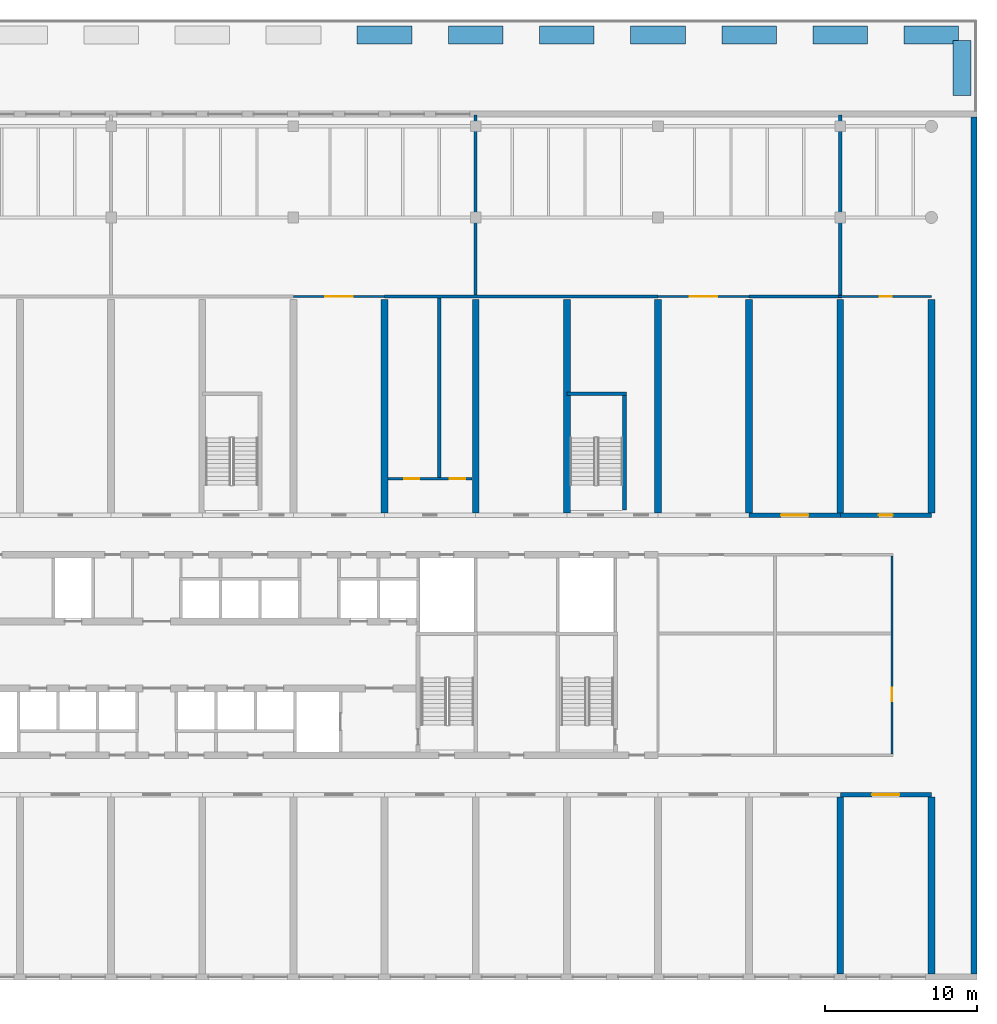
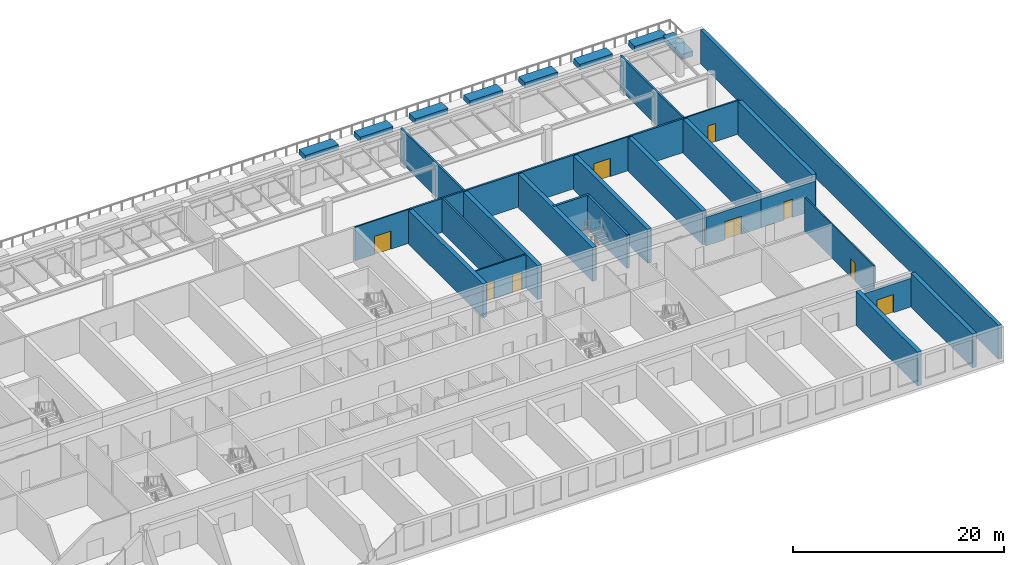
# One storey, part 11 of 16: 33 walls, 9 doors, 9 openings.
"""IFC4 building model written with IfcOpenShell, lengths in metres."""

from ifc_helpers import new_model, si_unit, direction, frame, frame_2d, origin, place, context, subcontext, project, spatial, polyline, rectangle, outline, extrude, source, transform, mapped, material, layer, layer_set, type_object, element, fill, save


model = new_model("IFC4")

# Units and contexts
model_context = context("Model", 3, precision=1e-05, world=origin(), true_north=direction((0.0, 1.0)))
body_context = subcontext(model_context, "Body", "Model", "MODEL_VIEW")
ifc_project = project(units=[si_unit("LENGTHUNIT", "METRE"), si_unit("AREAUNIT", "SQUARE_METRE"), si_unit("VOLUMEUNIT", "CUBIC_METRE"), si_unit("PLANEANGLEUNIT", "RADIAN"), si_unit("MASSUNIT", "GRAM", prefix="KILO")], contexts=[model_context])

# Site, building, storey
site_placement = place(None, origin())
site = spatial("IfcSite", under=ifc_project, at=site_placement, CompositionType="ELEMENT")
building_placement = place(site_placement, origin())
building = spatial("IfcBuilding", under=site, at=building_placement, Name="Poui Terraces", CompositionType="ELEMENT")
storey_placement = place(building_placement, frame((0.0, 0.0, 15.0)))
storey = spatial("IfcBuildingStorey", under=building, at=storey_placement, Name="L03", CompositionType="ELEMENT", Elevation=15.0)

# Walls
ifc_material_1 = material(Name="Fire-rated masonry wall", Category="masonry")
ifc_layer_1 = layer(ifc_material_1, 0.199951171875)
ifc_layer_set_1 = layer_set([ifc_layer_1], Name="Fire-rated masonry wall")
wall_type_1 = type_object("IfcWallType", Name="COMPARTMENT WALL 200", PredefinedType="PARTITIONING", material=ifc_layer_set_1)
wall_1_placement = place(storey_placement, frame((66.0, 44.800048828125, 0.0), z_axis=(0.0, 0.0, 1.0), x_axis=(1.0, 0.0, 0.0)))
element("IfcWall", 1, at=wall_1_placement, inside=storey, type_object=wall_type_1, Name="COMPARTMENT WALL 200", PredefinedType="PARTITIONING", context=body_context, shape_type="SweptSolid", body=[
    extrude(rectangle(XDim=18.0, YDim=0.199951171875, at=frame_2d((9.0, 0.0))), origin(), (0.0, 0.0, 1.0), 3.919921875),
])
wall_2_placement = place(storey_placement, frame((90.0, 44.800048828125, 0.0), z_axis=(0.0, 0.0, 1.0), x_axis=(1.0, 0.0, 0.0)))
element("IfcWall", 2, at=wall_2_placement, inside=storey, type_object=wall_type_1, Name="COMPARTMENT WALL 200", PredefinedType="PARTITIONING", context=body_context, shape_type="SweptSolid", body=[
    extrude(rectangle(XDim=6.10009765625, YDim=0.199951171875, at=frame_2d((3.050048828125, 0.0))), origin(), (0.0, 0.0, 1.0), 3.919921875),
])
wall_3_placement = place(storey_placement, frame((69.60009765625, 32.875, 0.0), z_axis=(0.0, 0.0, 1.0), x_axis=(0.0, 1.0, 0.0)))
element("IfcWall", 3, at=wall_3_placement, inside=storey, type_object=wall_type_1, Name="COMPARTMENT WALL 200", PredefinedType="PARTITIONING", context=body_context, shape_type="SweptSolid", body=[
    extrude(rectangle(XDim=11.824951171875, YDim=0.199951171875, at=frame_2d((5.91259765625, 0.0))), origin(), (0.0, 0.0, 1.0), 3.919921875),
])
for number, where, z_axis, x_axis, name in (
    (4, (72.0, 44.89990234375, 0.0), (0.0, 0.0, 1.0), (0.0, 1.0, 0.0), "COMPARTMENT WALL 200"),
    (5, (96.0, 44.89990234375, 0.0), (0.0, 0.0, 1.0), (0.0, 1.0, 0.0), "COMPARTMENT WALL 200"),
):
    element("IfcWall", number, at=place(storey_placement, frame(where, z_axis=z_axis, x_axis=x_axis)), inside=storey, type_object=wall_type_1, Name=name, PredefinedType="PARTITIONING", context=body_context, shape_type="SweptSolid", body=[
        extrude(rectangle(XDim=11.840087890625, YDim=0.199951171875, at=frame_2d((5.919921875, 0.0))), origin(), (0.0, 0.0, 1.0), 3.919921875),
    ])

# Wall, openings, doors
ifc_material_2 = material(Name="Fire-rated plasterboard wall")
ifc_layer_2 = layer(ifc_material_2, 0.14990234375)
ifc_layer_set_2 = layer_set([ifc_layer_2], Name="Fire-rated plasterboard wall")
wall_type_2 = type_object("IfcWallType", Name="CORRIDOR WALL 150", PredefinedType="PARTITIONING", material=ifc_layer_set_2)
wall_4_placement = place(storey_placement, frame((66.235107421875, 32.800048828125, 0.0), z_axis=(0.0, 0.0, 1.0), x_axis=(1.0, 0.0, 0.0)))
wall_4 = element("IfcWall", 6, at=wall_4_placement, inside=storey, type_object=wall_type_2, Name="CORRIDOR WALL 150", PredefinedType="PARTITIONING", context=body_context, shape_type="SweptSolid", body=[
    extrude(rectangle(XDim=5.52978515625, YDim=0.14990234375, at=frame_2d((2.764892578125, 0.0))), origin(), (0.0, 0.0, 1.0), 3.919921875),
])
opening_1_placement = place(wall_4_placement, frame((1.06494140625, 0.0, 0.0)))
opening_1 = element("IfcOpeningElement", 7, at=opening_1_placement, cuts=wall_4, Name="Opening D100", PredefinedType="OPENING", context=body_context, shape_type="SweptSolid", body=[
    extrude(rectangle(XDim=1.0, YDim=2.10009765625, at=frame_2d((0.5, 1.050048828125))), frame((0.0, 0.0849609375, 0.0), z_axis=(0.0, -1.0, 0.0), x_axis=(1.0, 0.0, 0.0)), (0.0, 0.0, 1.0), 0.169921875),
])
opening_2_placement = place(wall_4_placement, frame((4.06494140625, 0.0, 0.0)))
opening_2 = element("IfcOpeningElement", 8, at=opening_2_placement, cuts=wall_4, Name="Opening D100", PredefinedType="OPENING", context=body_context, shape_type="SweptSolid", body=[
    extrude(rectangle(XDim=1.0, YDim=2.10009765625, at=frame_2d((0.5, 1.050048828125))), frame((0.0, 0.0849609375, 0.0), z_axis=(0.0, -1.0, 0.0), x_axis=(1.0, 0.0, 0.0)), (0.0, 0.0, 1.0), 0.169921875),
])
ifc_material_3 = material(Name="Solid core timber door", Category="wood")
door_type_1 = type_object("IfcDoorType", Name="ACCESSIBLE INTERNAL DOOR 1000 X 2100", OperationType="NOTDEFINED", PredefinedType="DOOR", material=ifc_material_3)
door_1_placement = place(opening_1_placement, frame((1.0, 0.0, 0.0), z_axis=(0.0, 0.0, 1.0), x_axis=(-1.0, 0.0, 0.0)))
door_1 = element("IfcDoor", 9, at=door_1_placement, inside=storey, type_object=door_type_1, Name="ACCESSIBLE INTERNAL DOOR 076", OperationType="SINGLE_SWING_RIGHT", OverallHeight=2.10009765625, OverallWidth=1.0, PredefinedType="DOOR", context=body_context, shape_type="SweptSolid", body=[
    extrude(rectangle(XDim=1.0, YDim=2.10009765625, at=frame_2d((0.5, 1.050048828125))), frame((0.0, 0.02490234375, 0.0), z_axis=(0.0, -1.0, 0.0), x_axis=(1.0, 0.0, 0.0)), (0.0, 0.0, 1.0), 0.050048828125),
])
fill(opening_1, door_1)
door_2_placement = place(opening_2_placement, frame((1.0, 0.0, 0.0), z_axis=(0.0, 0.0, 1.0), x_axis=(-1.0, 0.0, 0.0)))
door_2 = element("IfcDoor", 10, at=door_2_placement, inside=storey, type_object=door_type_1, Name="ACCESSIBLE INTERNAL DOOR 077", OperationType="SINGLE_SWING_LEFT", OverallHeight=2.10009765625, OverallWidth=1.0, PredefinedType="DOOR", context=body_context, shape_type="SweptSolid", body=[
    extrude(rectangle(XDim=1.0, YDim=2.10009765625, at=frame_2d((0.5, 1.050048828125))), frame((0.0, 0.02490234375, 0.0), z_axis=(0.0, -1.0, 0.0), x_axis=(1.0, 0.0, 0.0)), (0.0, 0.0, 1.0), 0.050048828125),
])
fill(opening_2, door_2)

# Wall, opening, door
wall_5_placement = place(storey_placement, frame((60.0, 44.800048828125, 0.0), z_axis=(0.0, 0.0, 1.0), x_axis=(1.0, 0.0, 0.0)))
wall_5 = element("IfcWall", 11, at=wall_5_placement, inside=storey, type_object=wall_type_2, Name="CORRIDOR WALL 150", PredefinedType="PARTITIONING", context=body_context, shape_type="SweptSolid", body=[
    extrude(rectangle(XDim=6.0, YDim=0.14990234375, at=frame_2d((3.0, 0.0))), origin(), (0.0, 0.0, 1.0), 3.919921875),
])
opening_3_placement = place(wall_5_placement, frame((2.10009765625, 0.0, 0.0)))
opening_3 = element("IfcOpeningElement", 12, at=opening_3_placement, cuts=wall_5, Name="Opening DD180", PredefinedType="OPENING", context=body_context, shape_type="SweptSolid", body=[
    extrude(rectangle(XDim=1.800048828125, YDim=2.10009765625, at=frame_2d((0.89990234375, 1.050048828125))), frame((0.0, 0.0849609375, 0.0), z_axis=(0.0, -1.0, 0.0), x_axis=(1.0, 0.0, 0.0)), (0.0, 0.0, 1.0), 0.169921875),
])
ifc_material_4 = material(Name="Steel fire door", Category="steel")
door_type_2 = type_object("IfcDoorType", Name="DOUBLE INTERNAL DOOR 1800 X 2100", OperationType="DOUBLE_DOOR_SINGLE_SWING", PredefinedType="DOOR", material=ifc_material_4)
door_3_placement = place(opening_3_placement, frame((1.800048828125, 0.0, 0.0), z_axis=(0.0, 0.0, 1.0), x_axis=(-1.0, 0.0, 0.0)))
door_3 = element("IfcDoor", 13, at=door_3_placement, inside=storey, type_object=door_type_2, Name="DOUBLE INTERNAL DOOR 080", OperationType="DOUBLE_DOOR_SINGLE_SWING", OverallHeight=2.10009765625, OverallWidth=1.800048828125, PredefinedType="DOOR", context=body_context, shape_type="SweptSolid", body=[
    extrude(rectangle(XDim=1.800048828125, YDim=2.10009765625, at=frame_2d((0.89990234375, 1.050048828125))), frame((0.0, 0.02490234375, 0.0), z_axis=(0.0, -1.0, 0.0), x_axis=(1.0, 0.0, 0.0)), (0.0, 0.0, 1.0), 0.050048828125),
])
fill(opening_3, door_3)

wall_6_placement = place(storey_placement, frame((84.0, 44.800048828125, 0.0), z_axis=(0.0, 0.0, 1.0), x_axis=(1.0, 0.0, 0.0)))
wall_6 = element("IfcWall", 14, at=wall_6_placement, inside=storey, type_object=wall_type_2, Name="CORRIDOR WALL 150", PredefinedType="PARTITIONING", context=body_context, shape_type="SweptSolid", body=[
    extrude(rectangle(XDim=6.0, YDim=0.14990234375, at=frame_2d((3.0, 0.0))), origin(), (0.0, 0.0, 1.0), 3.919921875),
])
opening_4_placement = place(wall_6_placement, frame((2.10009765625, 0.0, 0.0)))
opening_4 = element("IfcOpeningElement", 15, at=opening_4_placement, cuts=wall_6, Name="Opening DD180", PredefinedType="OPENING", context=body_context, shape_type="SweptSolid", body=[
    extrude(rectangle(XDim=1.800048828125, YDim=2.10009765625, at=frame_2d((0.89990234375, 1.050048828125))), frame((0.0, 0.0849609375, 0.0), z_axis=(0.0, -1.0, 0.0), x_axis=(1.0, 0.0, 0.0)), (0.0, 0.0, 1.0), 0.169921875),
])
door_4_placement = place(opening_4_placement, frame((1.800048828125, 0.0, 0.0), z_axis=(0.0, 0.0, 1.0), x_axis=(-1.0, 0.0, 0.0)))
door_4 = element("IfcDoor", 16, at=door_4_placement, inside=storey, type_object=door_type_2, Name="DOUBLE INTERNAL DOOR 081", OperationType="DOUBLE_DOOR_SINGLE_SWING", OverallHeight=2.10009765625, OverallWidth=1.800048828125, PredefinedType="DOOR", context=body_context, shape_type="SweptSolid", body=[
    extrude(rectangle(XDim=1.800048828125, YDim=2.10009765625, at=frame_2d((0.89990234375, 1.050048828125))), frame((0.0, 0.02490234375, 0.0), z_axis=(0.0, -1.0, 0.0), x_axis=(1.0, 0.0, 0.0)), (0.0, 0.0, 1.0), 0.050048828125),
])
fill(opening_4, door_4)

wall_7_placement = place(storey_placement, frame((95.89990234375, 44.800048828125, 0.0), z_axis=(0.0, 0.0, 1.0), x_axis=(1.0, 0.0, 0.0)))
wall_7 = element("IfcWall", 17, at=wall_7_placement, inside=storey, type_object=wall_type_2, Name="CORRIDOR WALL 150", PredefinedType="PARTITIONING", context=body_context, shape_type="SweptSolid", body=[
    extrude(rectangle(XDim=6.10009765625, YDim=0.14990234375, at=frame_2d((3.050048828125, 0.0))), origin(), (0.0, 0.0, 1.0), 3.919921875),
])
opening_5_placement = place(wall_7_placement, frame((2.699951171875, 0.0, 0.0)))
opening_5 = element("IfcOpeningElement", 18, at=opening_5_placement, cuts=wall_7, Name="Opening D80", PredefinedType="OPENING", context=body_context, shape_type="SweptSolid", body=[
    extrude(rectangle(XDim=0.800048828125, YDim=2.10009765625, at=frame_2d((0.39990234375, 1.050048828125))), frame((0.0, 0.0849609375, 0.0), z_axis=(0.0, -1.0, 0.0), x_axis=(1.0, 0.0, 0.0)), (0.0, 0.0, 1.0), 0.169921875),
])
door_type_3 = type_object("IfcDoorType", Name="BATHROOM, LAUNDRY AND STORE DOOR 800 X 2100", OperationType="NOTDEFINED", PredefinedType="DOOR", material=ifc_material_3)
door_5_placement = place(opening_5_placement, frame((0.800048828125, 0.0, 0.0), z_axis=(0.0, 0.0, 1.0), x_axis=(-1.0, 0.0, 0.0)))
door_5 = element("IfcDoor", 19, at=door_5_placement, inside=storey, type_object=door_type_3, Name="BATHROOM, LAUNDRY AND STORE DOOR 082", OperationType="SINGLE_SWING_RIGHT", OverallHeight=2.10009765625, OverallWidth=0.800048828125, PredefinedType="DOOR", context=body_context, shape_type="SweptSolid", body=[
    extrude(rectangle(XDim=0.800048828125, YDim=2.10009765625, at=frame_2d((0.39990234375, 1.050048828125))), frame((0.0, 0.02490234375, 0.0), z_axis=(0.0, -1.0, 0.0), x_axis=(1.0, 0.0, 0.0)), (0.0, 0.0, 1.0), 0.050048828125),
])
fill(opening_5, door_5)

wall_8_placement = place(storey_placement, frame((99.39990234375, 14.675048828125, 0.0), z_axis=(0.0, 0.0, 1.0), x_axis=(0.0, 1.0, 0.0)))
wall_8 = element("IfcWall", 20, at=wall_8_placement, inside=storey, type_object=wall_type_2, Name="CORRIDOR WALL 150", PredefinedType="PARTITIONING", context=body_context, shape_type="SweptSolid", body=[
    extrude(rectangle(XDim=13.050048828125, YDim=0.14990234375, at=frame_2d((6.52490234375, 0.0))), origin(), (0.0, 0.0, 1.0), 3.919921875),
])
opening_6_placement = place(wall_8_placement, frame((3.47509765625, 0.0, 0.0)))
opening_6 = element("IfcOpeningElement", 21, at=opening_6_placement, cuts=wall_8, Name="Opening D90", PredefinedType="OPENING", context=body_context, shape_type="SweptSolid", body=[
    extrude(rectangle(XDim=0.89990234375, YDim=2.10009765625, at=frame_2d((0.449951171875, 1.050048828125))), frame((0.0, 0.0849609375, 0.0), z_axis=(0.0, -1.0, 0.0), x_axis=(1.0, 0.0, 0.0)), (0.0, 0.0, 1.0), 0.169921875),
])
door_type_4 = type_object("IfcDoorType", Name="INTERNAL DOOR 900 X 2100", OperationType="NOTDEFINED", PredefinedType="DOOR", material=ifc_material_3)
door_6_placement = place(opening_6_placement, frame((0.89990234375, 0.0, 0.0), z_axis=(0.0, 0.0, 1.0), x_axis=(-1.0, 0.0, 0.0)))
door_6 = element("IfcDoor", 22, at=door_6_placement, inside=storey, type_object=door_type_4, Name="INTERNAL DOOR 001", OperationType="SINGLE_SWING_RIGHT", OverallHeight=2.10009765625, OverallWidth=0.89990234375, PredefinedType="DOOR", context=body_context, shape_type="SweptSolid", body=[
    extrude(rectangle(XDim=0.89990234375, YDim=2.10009765625, at=frame_2d((0.449951171875, 1.050048828125))), frame((0.0, 0.02490234375, 0.0), z_axis=(0.0, -1.0, 0.0), x_axis=(1.0, 0.0, 0.0)), (0.0, 0.0, 1.0), 0.050048828125),
])
fill(opening_6, door_6)

ifc_material_5 = material(Name="Concrete 80 MPa", Category="concrete")
ifc_layer_3 = layer(ifc_material_5, 0.300048828125)
ifc_layer_set_3 = layer_set([ifc_layer_3], Name="Concrete 80 MPa")
wall_type_3 = type_object("IfcWallType", Name="CORRIDOR WALL 300 80MPa", PredefinedType="SHEAR", material=ifc_layer_set_3)
wall_9_placement = place(storey_placement, frame((96.0, 12.0, 0.0), z_axis=(0.0, 0.0, 1.0), x_axis=(1.0, 0.0, 0.0)))
wall_9 = element("IfcWall", 23, at=wall_9_placement, inside=storey, type_object=wall_type_3, Name="CORRIDOR WALL LINE B BAY 17", PredefinedType="SHEAR", context=body_context, shape_type="SweptSolid", body=[
    extrude(rectangle(XDim=6.0, YDim=0.300048828125, at=frame_2d((3.0, 0.0))), origin(), (0.0, 0.0, 1.0), 3.320068359375),
])
opening_7_placement = place(wall_9_placement, frame((2.10009765625, 0.0, 0.0)))
opening_7 = element("IfcOpeningElement", 24, at=opening_7_placement, cuts=wall_9, Name="Opening DD180", PredefinedType="OPENING", context=body_context, shape_type="SweptSolid", body=[
    extrude(rectangle(XDim=1.800048828125, YDim=2.10009765625, at=frame_2d((0.89990234375, 1.050048828125))), frame((0.0, 0.16015625, 0.0), z_axis=(0.0, -1.0, 0.0), x_axis=(1.0, 0.0, 0.0)), (0.0, 0.0, 1.0), 0.320068359375),
])
door_7_placement = place(opening_7_placement, origin())
door_7 = element("IfcDoor", 25, at=door_7_placement, inside=storey, type_object=door_type_2, Name="DOUBLE INTERNAL DOOR 072", OperationType="DOUBLE_DOOR_SINGLE_SWING", OverallHeight=2.10009765625, OverallWidth=1.800048828125, PredefinedType="DOOR", context=body_context, shape_type="SweptSolid", body=[
    extrude(rectangle(XDim=1.800048828125, YDim=2.10009765625, at=frame_2d((0.89990234375, 1.050048828125))), frame((0.0, 0.02490234375, 0.0), z_axis=(0.0, -1.0, 0.0), x_axis=(1.0, 0.0, 0.0)), (0.0, 0.0, 1.0), 0.050048828125),
])
fill(opening_7, door_7)

wall_10_placement = place(storey_placement, frame((90.0, 30.39990234375, 0.0), z_axis=(0.0, 0.0, 1.0), x_axis=(1.0, 0.0, 0.0)))
wall_10 = element("IfcWall", 26, at=wall_10_placement, inside=storey, type_object=wall_type_3, Name="CORRIDOR WALL LINE E BAY 16", PredefinedType="SHEAR", context=body_context, shape_type="SweptSolid", body=[
    extrude(rectangle(XDim=6.0, YDim=0.300048828125, at=frame_2d((3.0, 0.0))), origin(), (0.0, 0.0, 1.0), 3.320068359375),
])
opening_8_placement = place(wall_10_placement, frame((2.10009765625, 0.0, 0.0)))
opening_8 = element("IfcOpeningElement", 27, at=opening_8_placement, cuts=wall_10, Name="Opening DD180", PredefinedType="OPENING", context=body_context, shape_type="SweptSolid", body=[
    extrude(rectangle(XDim=1.800048828125, YDim=2.10009765625, at=frame_2d((0.89990234375, 1.050048828125))), frame((0.0, 0.16015625, 0.0), z_axis=(0.0, -1.0, 0.0), x_axis=(1.0, 0.0, 0.0)), (0.0, 0.0, 1.0), 0.320068359375),
])
door_8_placement = place(opening_8_placement, frame((1.800048828125, 0.0, 0.0), z_axis=(0.0, 0.0, 1.0), x_axis=(-1.0, 0.0, 0.0)))
door_8 = element("IfcDoor", 28, at=door_8_placement, inside=storey, type_object=door_type_2, Name="DOUBLE INTERNAL DOOR 040", OperationType="DOUBLE_DOOR_SINGLE_SWING", OverallHeight=2.10009765625, OverallWidth=1.800048828125, PredefinedType="DOOR", context=body_context, shape_type="SweptSolid", body=[
    extrude(rectangle(XDim=1.800048828125, YDim=2.10009765625, at=frame_2d((0.89990234375, 1.050048828125))), frame((0.0, 0.02490234375, 0.0), z_axis=(0.0, -1.0, 0.0), x_axis=(1.0, 0.0, 0.0)), (0.0, 0.0, 1.0), 0.050048828125),
])
fill(opening_8, door_8)

wall_11_placement = place(storey_placement, frame((96.0, 30.39990234375, 0.0), z_axis=(0.0, 0.0, 1.0), x_axis=(1.0, 0.0, 0.0)))
wall_11 = element("IfcWall", 29, at=wall_11_placement, inside=storey, type_object=wall_type_3, Name="CORRIDOR WALL LINE E BAY 17", PredefinedType="SHEAR", context=body_context, shape_type="SweptSolid", body=[
    extrude(rectangle(XDim=6.0, YDim=0.300048828125, at=frame_2d((3.0, 0.0))), origin(), (0.0, 0.0, 1.0), 3.320068359375),
])
opening_9_placement = place(wall_11_placement, frame((2.550048828125, 0.0, 0.0)))
opening_9 = element("IfcOpeningElement", 30, at=opening_9_placement, cuts=wall_11, Name="Opening D90", PredefinedType="OPENING", context=body_context, shape_type="SweptSolid", body=[
    extrude(rectangle(XDim=0.89990234375, YDim=2.10009765625, at=frame_2d((0.449951171875, 1.050048828125))), frame((0.0, 0.16015625, 0.0), z_axis=(0.0, -1.0, 0.0), x_axis=(1.0, 0.0, 0.0)), (0.0, 0.0, 1.0), 0.320068359375),
])
door_9_placement = place(opening_9_placement, frame((0.89990234375, 0.0, 0.0), z_axis=(0.0, 0.0, 1.0), x_axis=(-1.0, 0.0, 0.0)))
door_9 = element("IfcDoor", 31, at=door_9_placement, inside=storey, type_object=door_type_4, Name="INTERNAL DOOR 042", OperationType="SINGLE_SWING_LEFT", OverallHeight=2.10009765625, OverallWidth=0.89990234375, PredefinedType="DOOR", context=body_context, shape_type="SweptSolid", body=[
    extrude(rectangle(XDim=0.89990234375, YDim=2.10009765625, at=frame_2d((0.449951171875, 1.050048828125))), frame((0.0, 0.02490234375, 0.0), z_axis=(0.0, -1.0, 0.0), x_axis=(1.0, 0.0, 0.0)), (0.0, 0.0, 1.0), 0.050048828125),
])
fill(opening_9, door_9)

# Walls
ifc_layer_4 = layer(ifc_material_5, 0.449951171875)
ifc_layer_set_4 = layer_set([ifc_layer_4], Name="Concrete 80 MPa")
wall_type_4 = type_object("IfcWallType", Name="CROSS WALL 450 80MPa", PredefinedType="SHEAR", material=ifc_layer_set_4)
for number, where, z_axis, x_axis, name in (
    (32, (66.0, 30.550048828125, 0.0), (0.0, 0.0, 1.0), (0.0, 1.0, 0.0), "CROSS WALL LINE 12 NORTH"),
    (33, (72.0, 30.550048828125, 0.0), (0.0, 0.0, 1.0), (0.0, 1.0, 0.0), "CROSS WALL LINE 13 NORTH"),
    (34, (78.0, 30.550048828125, 0.0), (0.0, 0.0, 1.0), (0.0, 1.0, 0.0), "CROSS WALL LINE 14 NORTH"),
    (35, (84.0, 30.550048828125, 0.0), (0.0, 0.0, 1.0), (0.0, 1.0, 0.0), "CROSS WALL LINE 15 NORTH"),
    (36, (90.0, 30.550048828125, 0.0), (0.0, 0.0, 1.0), (0.0, 1.0, 0.0), "CROSS WALL LINE 16 NORTH"),
):
    element("IfcWall", number, at=place(storey_placement, frame(where, z_axis=z_axis, x_axis=x_axis)), inside=storey, type_object=wall_type_4, Name=name, PredefinedType="SHEAR", context=body_context, shape_type="SweptSolid", body=[
        extrude(rectangle(XDim=14.050048828125, YDim=0.449951171875, at=frame_2d((7.02490234375, 0.0))), origin(), (0.0, 0.0, 1.0), 3.919921875),
    ])
wall_12_placement = place(storey_placement, frame((96.0, 0.199951171875, 0.0), z_axis=(0.0, 0.0, 1.0), x_axis=(0.0, 1.0, 0.0)))
element("IfcWall", 37, at=wall_12_placement, inside=storey, type_object=wall_type_4, Name="CROSS WALL LINE 17 SOUTH", PredefinedType="SHEAR", context=body_context, shape_type="SweptSolid", body=[
    extrude(rectangle(XDim=11.650146484375, YDim=0.449951171875, at=frame_2d((5.8251953125, 0.0))), origin(), (0.0, 0.0, 1.0), 3.919921875),
])
wall_13_placement = place(storey_placement, frame((96.0, 30.550048828125, 0.0), z_axis=(0.0, 0.0, 1.0), x_axis=(0.0, 1.0, 0.0)))
element("IfcWall", 38, at=wall_13_placement, inside=storey, type_object=wall_type_4, Name="CROSS WALL LINE 17 NORTH", PredefinedType="SHEAR", context=body_context, shape_type="SweptSolid", body=[
    extrude(rectangle(XDim=14.050048828125, YDim=0.449951171875, at=frame_2d((7.02490234375, 0.0))), origin(), (0.0, 0.0, 1.0), 3.919921875),
])
wall_14_placement = place(storey_placement, frame((102.0, 0.199951171875, 0.0), z_axis=(0.0, 0.0, 1.0), x_axis=(0.0, 1.0, 0.0)))
element("IfcWall", 39, at=wall_14_placement, inside=storey, type_object=wall_type_4, Name="CROSS WALL LINE 18 SOUTH", PredefinedType="SHEAR", context=body_context, shape_type="SweptSolid", body=[
    extrude(rectangle(XDim=11.650146484375, YDim=0.449951171875, at=frame_2d((5.8251953125, 0.0))), origin(), (0.0, 0.0, 1.0), 3.919921875),
])
wall_15_placement = place(storey_placement, frame((102.0, 30.550048828125, 0.0), z_axis=(0.0, 0.0, 1.0), x_axis=(0.0, 1.0, 0.0)))
element("IfcWall", 40, at=wall_15_placement, inside=storey, type_object=wall_type_4, Name="CROSS WALL LINE 18 NORTH", PredefinedType="SHEAR", context=body_context, shape_type="SweptSolid", body=[
    extrude(rectangle(XDim=14.050048828125, YDim=0.449951171875, at=frame_2d((7.02490234375, 0.0))), origin(), (0.0, 0.0, 1.0), 3.919921875),
])
ifc_material_6 = material(Name="Precast concrete 40 MPa", Category="concrete")
ifc_layer_5 = layer(ifc_material_6, 0.39990234375)
ifc_layer_set_5 = layer_set([ifc_layer_5], Name="Precast concrete 40 MPa")
wall_type_5 = type_object("IfcWallType", Name="EXTERNAL WALL 400", PredefinedType="STANDARD", material=ifc_layer_set_5)
wall_16_placement = place(storey_placement, frame((104.800048828125, 0.199951171875, 0.0), z_axis=(0.0, 0.0, 1.0), x_axis=(0.0, 1.0, 0.0)))
element("IfcWall", 41, at=wall_16_placement, inside=storey, type_object=wall_type_5, Name="EXTERNAL WALL E", PredefinedType="STANDARD", context=body_context, shape_type="SweptSolid", body=[
    extrude(rectangle(XDim=56.400146484375, YDim=0.39990234375, at=frame_2d((28.2001953125, 0.0))), origin(), (0.0, 0.0, 1.0), 3.919921875),
])
ifc_layer_6 = layer(ifc_material_5, 0.25)
ifc_layer_set_6 = layer_set([ifc_layer_6], Name="Concrete 80 MPa")
wall_type_6 = type_object("IfcWallType", Name="STAIR CORE WALL 250 80 MPA", PredefinedType="SOLIDWALL", material=ifc_layer_set_6)
wall_17_placement = place(storey_placement, frame((81.800048828125, 30.75, 0.0), z_axis=(0.0, 0.0, 1.0), x_axis=(0.0, 1.0, 0.0)))
element("IfcWall", 42, at=wall_17_placement, inside=storey, type_object=wall_type_6, Name="STAIR CORE WALL", PredefinedType="SOLIDWALL", context=body_context, shape_type="SweptSolid", body=[
    extrude(rectangle(XDim=7.52490234375, YDim=0.25, at=frame_2d((3.762451171875, 0.0))), origin(), (0.0, 0.0, 1.0), 3.919921875),
])
wall_18_placement = place(storey_placement, frame((78.0, 38.39990234375, 0.0), z_axis=(0.0, 0.0, 1.0), x_axis=(1.0, 0.0, 0.0)))
element("IfcWall", 43, at=wall_18_placement, inside=storey, type_object=wall_type_6, Name="STAIR CORE WALL", PredefinedType="SOLIDWALL", context=body_context, shape_type="SweptSolid", body=[
    extrude(rectangle(XDim=3.925048828125, YDim=0.25, at=frame_2d((1.96240234375, 0.0))), origin(), (0.0, 0.0, 1.0), 3.919921875),
])
ifc_layer_7 = layer(ifc_material_6, 1.199951171875)
ifc_layer_set_7 = layer_set([ifc_layer_7], Name="Precast concrete 40 MPa")
wall_type_7 = type_object("IfcWallType", Name="PLANTER 600", PredefinedType="USERDEFINED", material=ifc_layer_set_7)
shared_shape_1 = source(origin(), body_context, "Body", "SweptSolid", [
    extrude(outline(polyline([(0.0, 0.0), (3.60009765625, 0.0), (3.60009765625, 1.2001953125), (0.0, 1.2001953125), (0.0, 0.0)])), origin(), (0.0, 0.0, 1.0), 0.60009765625),
])
for number, where, name in (
    (44, (64.199951171875, 61.419921875, 0.0), "PLANTER"),
    (45, (70.199951171875, 61.419921875, 0.0), "PLANTER"),
    (46, (76.199951171875, 61.419921875, 0.0), "PLANTER"),
    (47, (82.199951171875, 61.419921875, 0.0), "PLANTER"),
    (48, (88.199951171875, 61.419921875, 0.0), "PLANTER"),
    (49, (94.199951171875, 61.419921875, 0.0), "PLANTER"),
    (50, (100.199951171875, 61.419921875, 0.0), "PLANTER"),
):
    element("IfcWall", number, at=place(storey_placement, frame(where)), inside=storey, type_object=wall_type_7, Name=name, ObjectType="PLANTER", PredefinedType="USERDEFINED", context=body_context, shape_type="MappedRepresentation", body=[
        mapped(shared_shape_1, transform((0.0, 0.0, 0.0))),
    ])
shared_shape_2 = source(origin(), body_context, "Body", "SweptSolid", [
    extrude(outline(polyline([(0.0, 0.0), (1.2001953125, 0.0), (1.2001953125, 3.599853515625), (0.0, 3.599853515625), (0.0, 0.0)])), origin(), (0.0, 0.0, 1.0), 0.60009765625),
])
wall_19_placement = place(storey_placement, frame((103.419921875, 58.0400390625, 0.0)))
element("IfcWall", 51, at=wall_19_placement, inside=storey, type_object=wall_type_7, Name="PLANTER", ObjectType="PLANTER", PredefinedType="USERDEFINED", context=body_context, shape_type="MappedRepresentation", body=[
    mapped(shared_shape_2, transform((0.0, 0.0, 0.0))),
])

save(model, "model.ifc")
